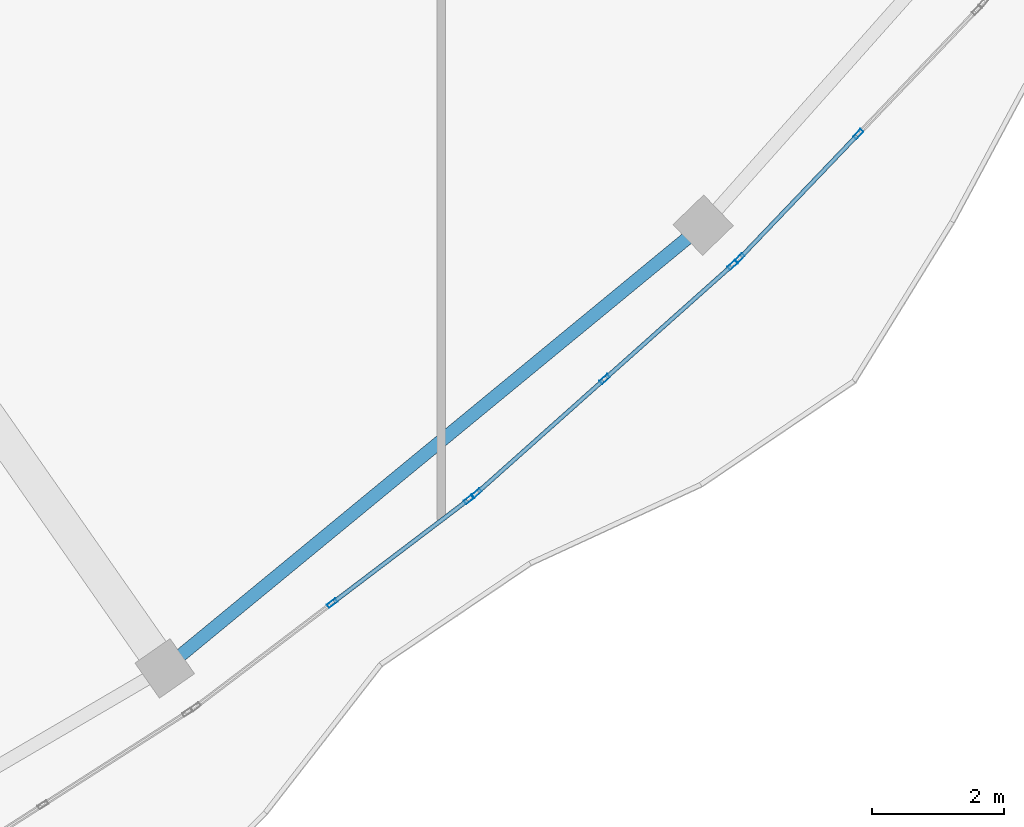
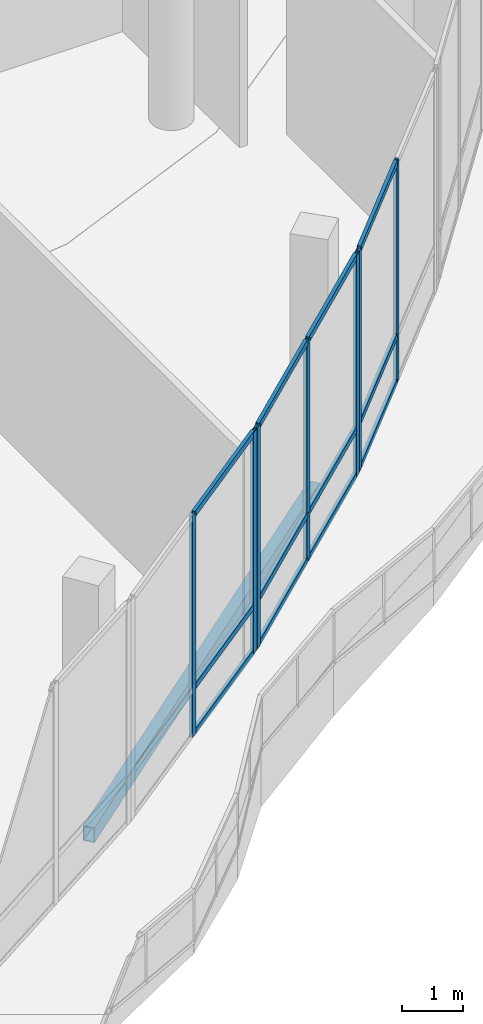
# One storey, part 42 of 155: 19 members, 1 beam, 3 elements without a shape of their own.
"""IFC4 building model written with IfcOpenShell, lengths in metres."""

from ifc_helpers import new_model, si_unit, direction, frame, origin, origin_2d, place, context, subcontext, project, spatial, hollow_rectangle, extrude, material, material_profile, profile_set, type_object, element, aggregate, save


model = new_model("IFC4")

# Units and contexts
model_context = context("Model", 3, precision=1e-05, world=origin(), true_north=direction((0.0, 1.0)))
body_context = subcontext(model_context, "Body", "Model", "MODEL_VIEW")
ifc_project = project(units=[si_unit("LENGTHUNIT", "METRE"), si_unit("AREAUNIT", "SQUARE_METRE"), si_unit("VOLUMEUNIT", "CUBIC_METRE"), si_unit("PLANEANGLEUNIT", "RADIAN"), si_unit("MASSUNIT", "GRAM", prefix="KILO")], contexts=[model_context])

# Site, building, storey
site_placement = place(None, origin())
site = spatial("IfcSite", under=ifc_project, at=site_placement, CompositionType="ELEMENT")
building_placement = place(site_placement, origin())
building = spatial("IfcBuilding", under=site, at=building_placement, Name="Selatvlak General Hospital", CompositionType="ELEMENT")
storey_placement = place(building_placement, frame((0.0, 0.0, 10.199951171875)))
storey = spatial("IfcBuildingStorey", under=building, at=storey_placement, Name="L02", CompositionType="ELEMENT", Elevation=10.199951171875)

# Beam
ifc_material_1 = material(Name="Steel S355", Category="steel")
ifc_material_profile_1 = material_profile(ifc_material_1, hollow_rectangle(XDim=0.199951171875, YDim=0.300048828125, WallThickness=0.011962890625, at=origin_2d()), Name="RHS 300x200x12")
ifc_profile_set_1 = profile_set([ifc_material_profile_1], Name="Steel S355")
beam_type = type_object("IfcBeamType", Name="BM-SP3", PredefinedType="SPANDREL", material=ifc_profile_set_1)
beam_placement = place(storey_placement, frame((94.195068359375, 24.757080078125, -0.5048828125), z_axis=(0.772071758835, 0.635535364248, 0.0), x_axis=(-0.635535364248, 0.772071758835, 0.0)))
element("IfcBeam", 1, at=beam_placement, inside=storey, type_object=beam_type, Name="Beam BMR-L02-1145", PredefinedType="SPANDREL", context=body_context, shape_type="SweptSolid", body=[
    extrude(hollow_rectangle(XDim=0.199951171875, YDim=0.300048828125, WallThickness=0.011962890625, at=origin_2d()), origin(), (0.0, 0.0, 1.0), 10.605224609375),
])

# Curtain wall, members
ifc_material_2 = material(Name="Solar-control Low-E double glazing", Category="glass")
curtain_wall_type_1 = type_object("IfcCurtainWallType", Name="CW-CW-02", PredefinedType="USERDEFINED", material=ifc_material_2)
curtain_wall_1_placement = place(storey_placement, origin())
curtain_wall_1 = element("IfcCurtainWall", 2, at=curtain_wall_1_placement, inside=storey, type_object=curtain_wall_type_1, Name="Glazed facade curtain wall CW-L02-0296", ObjectType="UNITISED CURTAIN WALL", PredefinedType="USERDEFINED")
ifc_material_3 = material(Name="Dark anodised aluminium mullion", Category="aluminium")
ifc_material_profile_2 = material_profile(ifc_material_3, hollow_rectangle(XDim=0.06494140625, YDim=0.159912109375, WallThickness=0.00390625, at=origin_2d()), Name="AL-MUL 65x160x4")
ifc_profile_set_2 = profile_set([ifc_material_profile_2], Name="Dark anodised aluminium mullion")
member_type_1 = type_object("IfcMemberType", Name="CWM-01", PredefinedType="MULLION", material=ifc_profile_set_2)
member_1_placement = place(storey_placement, frame((104.741455078125, 32.881103515625, 0.0), z_axis=(0.0, 0.0, 1.0), x_axis=(0.722908808256, -0.690943452785, 0.0)))
member_1 = element("IfcMember", 3, at=member_1_placement, type_object=member_type_1, Name="CW-02 mullion 2", PredefinedType="MULLION", context=body_context, shape_type="SweptSolid", body=[
    extrude(hollow_rectangle(XDim=0.06494140625, YDim=0.159912109375, WallThickness=0.00390625, at=origin_2d()), origin(), (0.0, 0.0, 1.0), 4.4599609375),
])
member_2_placement = place(storey_placement, frame((102.9375, 30.993408203125, 0.0), z_axis=(0.0, 0.0, 1.0), x_axis=(0.722908808256, -0.690943452785, 0.0)))
member_2 = element("IfcMember", 4, at=member_2_placement, type_object=member_type_1, Name="CW-02 mullion 3", PredefinedType="MULLION", context=body_context, shape_type="SweptSolid", body=[
    extrude(hollow_rectangle(XDim=0.06494140625, YDim=0.159912109375, WallThickness=0.00390625, at=origin_2d()), origin(), (0.0, 0.0, 1.0), 4.4599609375),
])

curtain_wall_type_2 = type_object("IfcCurtainWallType", Name="CW-CW-01", PredefinedType="USERDEFINED", material=ifc_material_2)
curtain_wall_2_placement = place(storey_placement, origin())
curtain_wall_2 = element("IfcCurtainWall", 5, at=curtain_wall_2_placement, inside=storey, type_object=curtain_wall_type_2, Name="Glazed facade curtain wall CW-L02-0297", ObjectType="UNITISED CURTAIN WALL", PredefinedType="USERDEFINED")
member_3_placement = place(storey_placement, frame((102.832763671875, 30.894287109375, 0.0), z_axis=(0.0, 0.0, 1.0), x_axis=(0.665560736735, -0.746343691417, 0.0)))
member_3 = element("IfcMember", 6, at=member_3_placement, type_object=member_type_1, Name="CW-01 mullion 1", PredefinedType="MULLION", context=body_context, shape_type="SweptSolid", body=[
    extrude(hollow_rectangle(XDim=0.06494140625, YDim=0.159912109375, WallThickness=0.00390625, at=origin_2d()), origin(), (0.0, 0.0, 1.0), 4.4599609375),
])
member_4_placement = place(storey_placement, frame((100.884521484375, 29.156982421875, 0.0), z_axis=(0.0, 0.0, 1.0), x_axis=(0.665560736735, -0.746343691417, 0.0)))
member_4 = element("IfcMember", 7, at=member_4_placement, type_object=member_type_1, Name="CW-01 mullion 2", PredefinedType="MULLION", context=body_context, shape_type="SweptSolid", body=[
    extrude(hollow_rectangle(XDim=0.06494140625, YDim=0.159912109375, WallThickness=0.00390625, at=origin_2d()), origin(), (0.0, 0.0, 1.0), 4.4599609375),
])
member_5_placement = place(storey_placement, frame((98.936279296875, 27.419677734375, 0.0), z_axis=(0.0, 0.0, 1.0), x_axis=(0.665560736735, -0.746343691417, 0.0)))
member_5 = element("IfcMember", 8, at=member_5_placement, type_object=member_type_1, Name="CW-01 mullion 3", PredefinedType="MULLION", context=body_context, shape_type="SweptSolid", body=[
    extrude(hollow_rectangle(XDim=0.06494140625, YDim=0.159912109375, WallThickness=0.00390625, at=origin_2d()), origin(), (0.0, 0.0, 1.0), 4.4599609375),
])

curtain_wall_3_placement = place(storey_placement, origin())
curtain_wall_3 = element("IfcCurtainWall", 9, at=curtain_wall_3_placement, inside=storey, type_object=curtain_wall_type_1, Name="Glazed facade curtain wall CW-L02-0298", ObjectType="UNITISED CURTAIN WALL", PredefinedType="USERDEFINED")
member_6_placement = place(storey_placement, frame((98.822998046875, 27.329345703125, 0.0), z_axis=(0.0, 0.0, 1.0), x_axis=(0.60458927489, -0.796537386874, 0.0)))
member_6 = element("IfcMember", 10, at=member_6_placement, type_object=member_type_1, Name="CW-02 mullion 1", PredefinedType="MULLION", context=body_context, shape_type="SweptSolid", body=[
    extrude(hollow_rectangle(XDim=0.06494140625, YDim=0.159912109375, WallThickness=0.00390625, at=origin_2d()), origin(), (0.0, 0.0, 1.0), 4.4599609375),
])
member_7_placement = place(storey_placement, frame((96.742919921875, 25.75048828125, 0.0), z_axis=(0.0, 0.0, 1.0), x_axis=(0.60458927489, -0.796537386874, 0.0)))
member_7 = element("IfcMember", 11, at=member_7_placement, type_object=member_type_1, Name="CW-02 mullion 2", PredefinedType="MULLION", context=body_context, shape_type="SweptSolid", body=[
    extrude(hollow_rectangle(XDim=0.06494140625, YDim=0.159912109375, WallThickness=0.00390625, at=origin_2d()), origin(), (0.0, 0.0, 1.0), 4.4599609375),
])

# Member
ifc_material_profile_3 = material_profile(ifc_material_3, hollow_rectangle(XDim=0.06494140625, YDim=0.1201171875, WallThickness=0.00390625, at=origin_2d()), Name="AL-TRN 65x120x4")
ifc_profile_set_3 = profile_set([ifc_material_profile_3], Name="Dark anodised aluminium mullion")
member_type_2 = type_object("IfcMemberType", Name="CWT-01", PredefinedType="USERDEFINED", material=ifc_profile_set_3)
member_8_placement = place(storey_placement, frame((104.718994140625, 32.857421875, 0.032470703125), z_axis=(-0.690959135507, -0.722893818661, 0.0), x_axis=(0.722893818661, -0.690959135507, 0.0)))
member_8 = element("IfcMember", 12, at=member_8_placement, type_object=member_type_2, Name="CW-02 transom 2.1", ObjectType="TRANSOM", PredefinedType="USERDEFINED", context=body_context, shape_type="SweptSolid", body=[
    extrude(hollow_rectangle(XDim=0.06494140625, YDim=0.1201171875, WallThickness=0.00390625, at=origin_2d()), origin(), (0.0, 0.0, 1.0), 2.5458984375),
])

member_9_placement = place(storey_placement, frame((104.718994140625, 32.857421875, 0.949951171875), z_axis=(-0.690959135507, -0.722893818661, 0.0), x_axis=(0.722893818661, -0.690959135507, 0.0)))
member_9 = element("IfcMember", 13, at=member_9_placement, type_object=member_type_2, Name="CW-02 transom 2.2", ObjectType="TRANSOM", PredefinedType="USERDEFINED", context=body_context, shape_type="SweptSolid", body=[
    extrude(hollow_rectangle(XDim=0.06494140625, YDim=0.1201171875, WallThickness=0.00390625, at=origin_2d()), origin(), (0.0, 0.0, 1.0), 2.5458984375),
])

member_10_placement = place(storey_placement, frame((104.718994140625, 32.857421875, 4.427490234375), z_axis=(-0.690959135507, -0.722893818661, 0.0), x_axis=(0.722893818661, -0.690959135507, 0.0)))
member_10 = element("IfcMember", 14, at=member_10_placement, type_object=member_type_2, Name="CW-02 transom 2.3", ObjectType="TRANSOM", PredefinedType="USERDEFINED", context=body_context, shape_type="SweptSolid", body=[
    extrude(hollow_rectangle(XDim=0.06494140625, YDim=0.1201171875, WallThickness=0.00390625, at=origin_2d()), origin(), (0.0, 0.0, 1.0), 2.5458984375),
])

aggregate(curtain_wall_1, [member_1, member_2, member_8, member_9, member_10])

member_11_placement = place(storey_placement, frame((102.80859375, 30.872802734375, 0.032470703125), z_axis=(-0.746376551061, -0.665523886894, 0.0), x_axis=(0.665523886894, -0.746376551061, 0.0)))
member_11 = element("IfcMember", 15, at=member_11_placement, type_object=member_type_2, Name="CW-01 transom 1.1", ObjectType="TRANSOM", PredefinedType="USERDEFINED", context=body_context, shape_type="SweptSolid", body=[
    extrude(hollow_rectangle(XDim=0.06494140625, YDim=0.1201171875, WallThickness=0.00390625, at=origin_2d()), origin(), (0.0, 0.0, 1.0), 2.54541015625),
])

member_12_placement = place(storey_placement, frame((102.80859375, 30.872802734375, 0.949951171875), z_axis=(-0.746376551061, -0.665523886894, 0.0), x_axis=(0.665523886894, -0.746376551061, 0.0)))
member_12 = element("IfcMember", 16, at=member_12_placement, type_object=member_type_2, Name="CW-01 transom 1.2", ObjectType="TRANSOM", PredefinedType="USERDEFINED", context=body_context, shape_type="SweptSolid", body=[
    extrude(hollow_rectangle(XDim=0.06494140625, YDim=0.1201171875, WallThickness=0.00390625, at=origin_2d()), origin(), (0.0, 0.0, 1.0), 2.54541015625),
])

member_13_placement = place(storey_placement, frame((102.80859375, 30.872802734375, 4.427490234375), z_axis=(-0.746376551061, -0.665523886894, 0.0), x_axis=(0.665523886894, -0.746376551061, 0.0)))
member_13 = element("IfcMember", 17, at=member_13_placement, type_object=member_type_2, Name="CW-01 transom 1.3", ObjectType="TRANSOM", PredefinedType="USERDEFINED", context=body_context, shape_type="SweptSolid", body=[
    extrude(hollow_rectangle(XDim=0.06494140625, YDim=0.1201171875, WallThickness=0.00390625, at=origin_2d()), origin(), (0.0, 0.0, 1.0), 2.54541015625),
])

member_14_placement = place(storey_placement, frame((100.8603515625, 29.13525390625, 0.032470703125), z_axis=(-0.746376551061, -0.665523886894, 0.0), x_axis=(0.665523886894, -0.746376551061, 0.0)))
member_14 = element("IfcMember", 18, at=member_14_placement, type_object=member_type_2, Name="CW-01 transom 2.1", ObjectType="TRANSOM", PredefinedType="USERDEFINED", context=body_context, shape_type="SweptSolid", body=[
    extrude(hollow_rectangle(XDim=0.06494140625, YDim=0.1201171875, WallThickness=0.00390625, at=origin_2d()), origin(), (0.0, 0.0, 1.0), 2.54541015625),
])

member_15_placement = place(storey_placement, frame((100.8603515625, 29.13525390625, 0.949951171875), z_axis=(-0.746376551061, -0.665523886894, 0.0), x_axis=(0.665523886894, -0.746376551061, 0.0)))
member_15 = element("IfcMember", 19, at=member_15_placement, type_object=member_type_2, Name="CW-01 transom 2.2", ObjectType="TRANSOM", PredefinedType="USERDEFINED", context=body_context, shape_type="SweptSolid", body=[
    extrude(hollow_rectangle(XDim=0.06494140625, YDim=0.1201171875, WallThickness=0.00390625, at=origin_2d()), origin(), (0.0, 0.0, 1.0), 2.54541015625),
])

member_16_placement = place(storey_placement, frame((100.8603515625, 29.13525390625, 4.427490234375), z_axis=(-0.746376551061, -0.665523886894, 0.0), x_axis=(0.665523886894, -0.746376551061, 0.0)))
member_16 = element("IfcMember", 20, at=member_16_placement, type_object=member_type_2, Name="CW-01 transom 2.3", ObjectType="TRANSOM", PredefinedType="USERDEFINED", context=body_context, shape_type="SweptSolid", body=[
    extrude(hollow_rectangle(XDim=0.06494140625, YDim=0.1201171875, WallThickness=0.00390625, at=origin_2d()), origin(), (0.0, 0.0, 1.0), 2.54541015625),
])

aggregate(curtain_wall_2, [member_3, member_4, member_5, member_11, member_12, member_13, member_14, member_15, member_16])

member_17_placement = place(storey_placement, frame((98.797119140625, 27.309814453125, 0.032470703125), z_axis=(-0.796535238332, -0.604592105552, 0.0), x_axis=(0.604592105552, -0.796535238332, 0.0)))
member_17 = element("IfcMember", 21, at=member_17_placement, type_object=member_type_2, Name="CW-02 transom 1.1", ObjectType="TRANSOM", PredefinedType="USERDEFINED", context=body_context, shape_type="SweptSolid", body=[
    extrude(hollow_rectangle(XDim=0.06494140625, YDim=0.1201171875, WallThickness=0.00390625, at=origin_2d()), origin(), (0.0, 0.0, 1.0), 2.54638671875),
])

member_18_placement = place(storey_placement, frame((98.797119140625, 27.309814453125, 0.949951171875), z_axis=(-0.796535238332, -0.604592105552, 0.0), x_axis=(0.604592105552, -0.796535238332, 0.0)))
member_18 = element("IfcMember", 22, at=member_18_placement, type_object=member_type_2, Name="CW-02 transom 1.2", ObjectType="TRANSOM", PredefinedType="USERDEFINED", context=body_context, shape_type="SweptSolid", body=[
    extrude(hollow_rectangle(XDim=0.06494140625, YDim=0.1201171875, WallThickness=0.00390625, at=origin_2d()), origin(), (0.0, 0.0, 1.0), 2.54638671875),
])

member_19_placement = place(storey_placement, frame((98.797119140625, 27.309814453125, 4.427490234375), z_axis=(-0.796535238332, -0.604592105552, 0.0), x_axis=(0.604592105552, -0.796535238332, 0.0)))
member_19 = element("IfcMember", 23, at=member_19_placement, type_object=member_type_2, Name="CW-02 transom 1.3", ObjectType="TRANSOM", PredefinedType="USERDEFINED", context=body_context, shape_type="SweptSolid", body=[
    extrude(hollow_rectangle(XDim=0.06494140625, YDim=0.1201171875, WallThickness=0.00390625, at=origin_2d()), origin(), (0.0, 0.0, 1.0), 2.54638671875),
])

aggregate(curtain_wall_3, [member_6, member_7, member_17, member_18, member_19])

save(model, "model.ifc")
